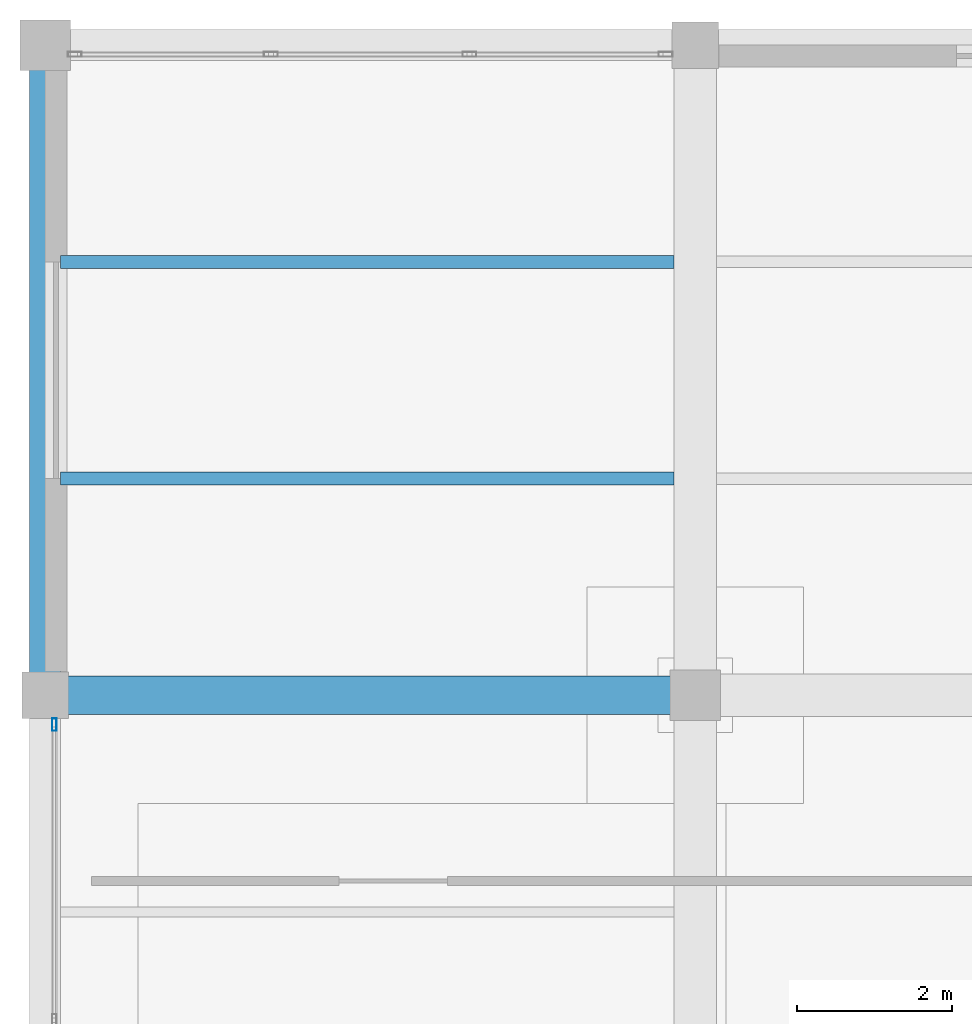
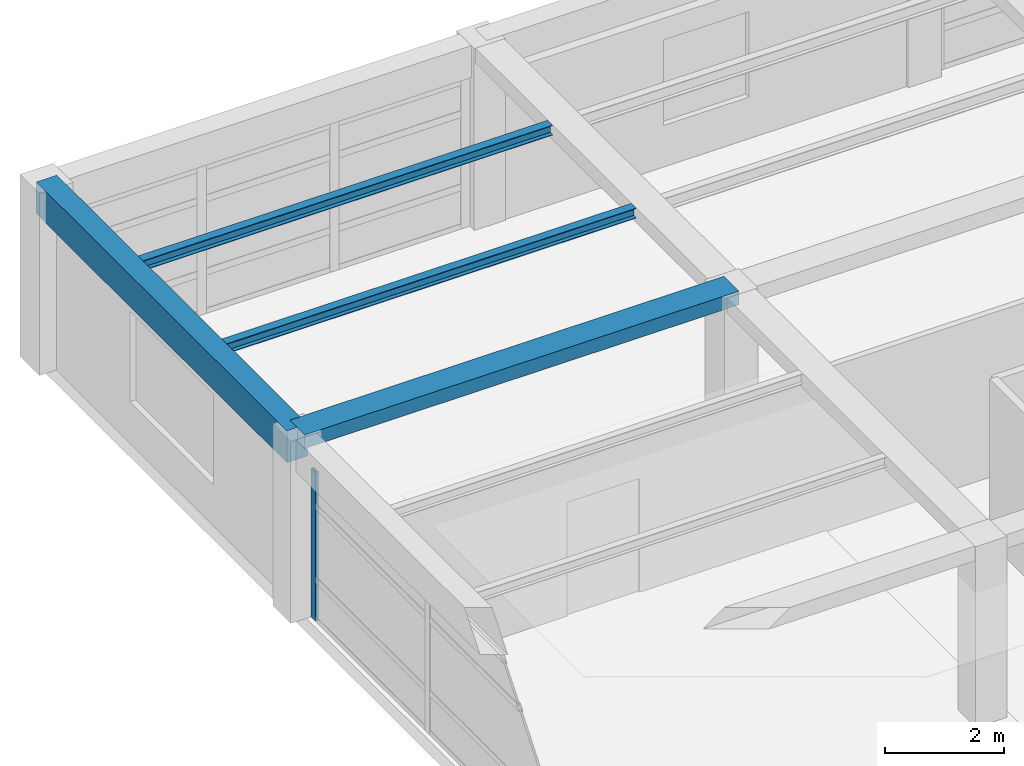
# One storey, part 11 of 26: 4 beams, 1 member, 1 element without a shape of its own.
"""IFC4 building model written with IfcOpenShell, lengths in metres."""

from ifc_helpers import new_model, si_unit, direction, frame, origin, origin_2d, place, context, subcontext, project, spatial, rectangle, hollow_rectangle, i_section, extrude, material, material_profile, profile_set, type_object, element, aggregate, save


model = new_model("IFC4")

# Units and contexts
model_context = context("Model", 3, precision=1e-05, world=origin(), true_north=direction((0.0, 1.0)))
body_context = subcontext(model_context, "Body", "Model", "MODEL_VIEW")
ifc_project = project(units=[si_unit("LENGTHUNIT", "METRE"), si_unit("AREAUNIT", "SQUARE_METRE"), si_unit("VOLUMEUNIT", "CUBIC_METRE"), si_unit("PLANEANGLEUNIT", "RADIAN"), si_unit("MASSUNIT", "GRAM", prefix="KILO")], contexts=[model_context])

# Site, building, storey
site_placement = place(None, origin())
site = spatial("IfcSite", under=ifc_project, at=site_placement, CompositionType="ELEMENT")
building_placement = place(site_placement, origin())
building = spatial("IfcBuilding", under=site, at=building_placement, Name="Almacenes y Pasaje Nevantli", CompositionType="ELEMENT")
storey_placement = place(building_placement, frame((0.0, 0.0, 46.699951171875)))
storey = spatial("IfcBuildingStorey", under=building, at=storey_placement, Name="L11", CompositionType="ELEMENT", Elevation=46.699951171875)

# Beams
ifc_material_1 = material(Name="Concrete C35/45", Category="concrete")
ifc_material_profile_1 = material_profile(ifc_material_1, rectangle(XDim=0.39990234375, YDim=0.64990234375, at=origin_2d()), Name="RC-BM-400x650")
ifc_profile_set_1 = profile_set([ifc_material_profile_1], Name="Concrete C35/45")
beam_type_1 = type_object("IfcBeamType", Name="BM-RC-400x650", PredefinedType="SPANDREL", material=ifc_profile_set_1)
beam_1_placement = place(storey_placement, frame((117.60009765625, 92.39990234375, 3.39501953125), z_axis=(0.0, 1.0, 0.0), x_axis=(-1.0, 0.0, 0.0)))
element("IfcBeam", 1, at=beam_1_placement, inside=storey, type_object=beam_type_1, Name="L11 North-South Reinforced Concrete Beam #3872", PredefinedType="SPANDREL", context=body_context, shape_type="SweptSolid", body=[
    extrude(rectangle(XDim=0.39990234375, YDim=0.64990234375, at=origin_2d()), origin(), (0.0, 0.0, 1.0), 8.400146484375),
])
ifc_material_2 = material(Name="Concrete C35/45", Category="concrete")
ifc_material_profile_2 = material_profile(ifc_material_2, rectangle(XDim=0.5, YDim=0.280029296875, at=origin_2d()), Name="RC-BM-500x280")
ifc_profile_set_2 = profile_set([ifc_material_profile_2], Name="Concrete C35/45")
beam_type_2 = type_object("IfcBeamType", Name="BM-RC-500x280", PredefinedType="BEAM", material=ifc_profile_set_2)
beam_2_placement = place(storey_placement, frame((117.60009765625, 92.39990234375, 3.580078125), z_axis=(1.0, 0.0, 0.0), x_axis=(0.0, 1.0, 0.0)))
element("IfcBeam", 2, at=beam_2_placement, inside=storey, type_object=beam_type_2, Name="L11 East-West Reinforced Concrete Beam #3859", PredefinedType="BEAM", context=body_context, shape_type="SweptSolid", body=[
    extrude(rectangle(XDim=0.5, YDim=0.280029296875, at=origin_2d()), origin(), (0.0, 0.0, 1.0), 8.39990234375),
])
ifc_material_3 = material(Name="Steel ASTM A992", Category="steel")
ifc_material_profile_3 = material_profile(ifc_material_3, i_section(OverallWidth=0.166015625, OverallDepth=0.205078125, WebThickness=0.007080078125, FlangeThickness=0.01171875, at=origin_2d()), Name="IR 203x41.7")
ifc_profile_set_3 = profile_set([ifc_material_profile_3], Name="Steel ASTM A992")
beam_type_3 = type_object("IfcBeamType", Name="BM-STL-IR-203x41p7", PredefinedType="JOIST", material=ifc_profile_set_3)
for number, where, z_axis, x_axis, name in (
    (3, (117.800048828125, 95.199951171875, 3.609619140625), (1.0, 0.0, 0.0), (0.0, 1.0, 0.0), "L11 Secondary Steel Floor Joist #1517"),
    (4, (117.800048828125, 98.0, 3.609619140625), (1.0, 0.0, 0.0), (0.0, 1.0, 0.0), "L11 Secondary Steel Floor Joist #1518"),
):
    element("IfcBeam", number, at=place(storey_placement, frame(where, z_axis=z_axis, x_axis=x_axis)), inside=storey, type_object=beam_type_3, Name=name, PredefinedType="JOIST", context=body_context, shape_type="SweptSolid", body=[
        extrude(i_section(OverallWidth=0.166015625, OverallDepth=0.205078125, WebThickness=0.007080078125, FlangeThickness=0.01171875, at=origin_2d()), origin(), (0.0, 0.0, 1.0), 7.925048828125),
    ])

# Curtain wall, member
ifc_material_4 = material(Name="Thermally Broken Aluminium and Low-E Glass", Category="aluminium")
curtain_wall_type = type_object("IfcCurtainWallType", Name="CW-UNIT-TOWER", PredefinedType="USERDEFINED", material=ifc_material_4)
curtain_wall_placement = place(storey_placement, origin())
curtain_wall = element("IfcCurtainWall", 5, at=curtain_wall_placement, inside=storey, type_object=curtain_wall_type, Name="L11 Tower West Curtain Wall Bay 11", ObjectType="UNITIZED CURTAIN WALL", PredefinedType="USERDEFINED")
ifc_material_5 = material(Name="Thermally Broken Anodized Aluminium", Category="aluminium")
ifc_material_profile_4 = material_profile(ifc_material_5, hollow_rectangle(XDim=0.06005859375, YDim=0.159912109375, WallThickness=0.00390625, at=origin_2d()), Name="ALU-MUL-60x160")
ifc_profile_set_4 = profile_set([ifc_material_profile_4], Name="Thermally Broken Anodized Aluminium")
member_type = type_object("IfcMemberType", Name="CW-MUL-180", PredefinedType="MULLION", material=ifc_profile_set_4)
member_placement = place(storey_placement, frame((117.719970703125, 92.02001953125, 0.0), z_axis=(0.0, 0.0, 1.0), x_axis=(-1.0, 0.0, 0.0)))
member = element("IfcMember", 6, at=member_placement, type_object=member_type, Name="CW-L11-157 mullion 3", PredefinedType="MULLION", context=body_context, shape_type="SweptSolid", body=[
    extrude(hollow_rectangle(XDim=0.06005859375, YDim=0.159912109375, WallThickness=0.00390625, at=origin_2d()), origin(), (0.0, 0.0, 1.0), 3.0400390625),
])
aggregate(curtain_wall, [member])

save(model, "model.ifc")
